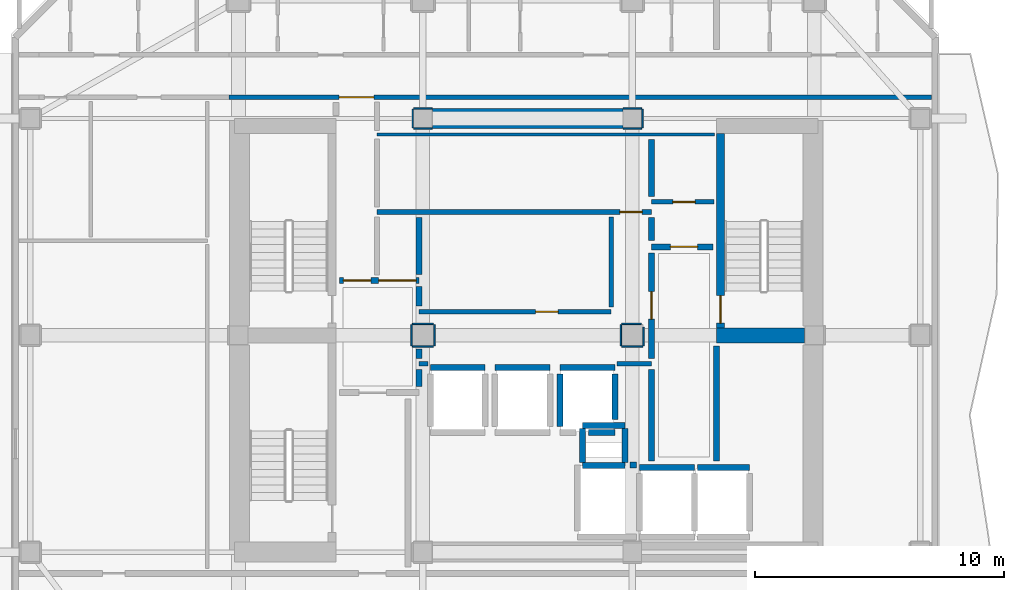
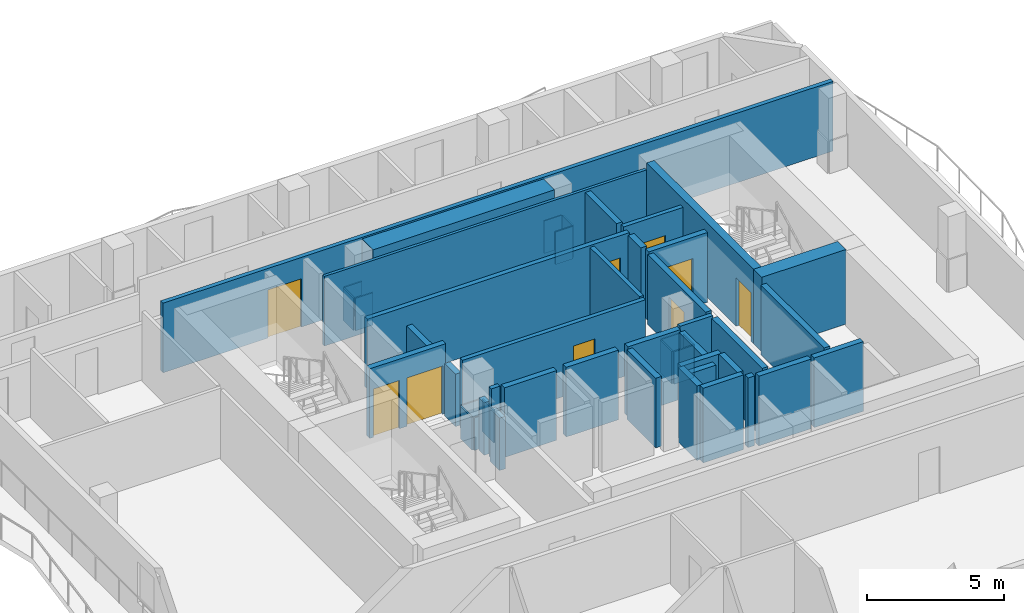
# One storey, part 4 of 10: 49 walls, 9 doors, 9 openings.
"""IFC4 building model written with IfcOpenShell, lengths in metres."""

from ifc_helpers import new_model, si_unit, direction, frame, frame_2d, origin, place, context, subcontext, project, spatial, rectangle, extrude, material, layer, layer_set, type_object, element, fill, save


model = new_model("IFC4")

# Units and contexts
model_context = context("Model", 3, precision=1e-05, world=origin(), true_north=direction((0.0, 1.0)))
body_context = subcontext(model_context, "Body", "Model", "MODEL_VIEW")
ifc_project = project(units=[si_unit("LENGTHUNIT", "METRE"), si_unit("AREAUNIT", "SQUARE_METRE"), si_unit("VOLUMEUNIT", "CUBIC_METRE"), si_unit("PLANEANGLEUNIT", "RADIAN"), si_unit("MASSUNIT", "GRAM", prefix="KILO")], contexts=[model_context])

# Site, building, storey
site_placement = place(None, origin())
site = spatial("IfcSite", under=ifc_project, at=site_placement, CompositionType="ELEMENT")
building_placement = place(site_placement, origin())
building = spatial("IfcBuilding", under=site, at=building_placement, Name="Solanera Arch Residences", CompositionType="ELEMENT")
storey_placement = place(building_placement, frame((0.0, 0.0, 203.43994140625)))
storey = spatial("IfcBuildingStorey", under=building, at=storey_placement, Name="L59", CompositionType="ELEMENT", Elevation=203.43994140625)

# Walls
ifc_material_1 = material(Name="Fire-Rated Gypsum Stud Partition", Category="gypsum")
ifc_layer_1 = layer(ifc_material_1, 0.06005859375)
ifc_layer_set_1 = layer_set([ifc_layer_1], Name="Fire-Rated Gypsum Stud Partition")
wall_type_1 = type_object("IfcWallType", Name="Column Acoustic Furring Wall 60", PredefinedType="PARTITIONING", material=ifc_layer_set_1)
for number, where, z_axis, x_axis, name in (
    (1, (20.425048828125, 38.992919921875, 0.0), (0.0, 0.0, 1.0), (1.0, 0.0, 0.0), "L59 Column Furring 3S"),
    (2, (20.425048828125, 39.806884765625, 0.0), (0.0, 0.0, 1.0), (1.0, 0.0, 0.0), "L59 Column Furring 3N"),
):
    element("IfcWall", number, at=place(storey_placement, frame(where, z_axis=z_axis, x_axis=x_axis)), inside=storey, type_object=wall_type_1, Name=name, PredefinedType="PARTITIONING", context=body_context, shape_type="SweptSolid", body=[
        extrude(rectangle(XDim=0.741943359375, YDim=0.06005859375, at=frame_2d((0.37109375, 0.0))), origin(), (0.0, 0.0, 1.0), 1.449951171875),
    ])
wall_1_placement = place(storey_placement, frame((20.39306640625, 39.02490234375, 0.0), z_axis=(0.0, 0.0, 1.0), x_axis=(0.0, 1.0, 0.0)))
element("IfcWall", 3, at=wall_1_placement, inside=storey, type_object=wall_type_1, Name="L59 Column Furring 3W", PredefinedType="PARTITIONING", context=body_context, shape_type="SweptSolid", body=[
    extrude(rectangle(XDim=0.75, YDim=0.06005859375, at=frame_2d((0.375, 0.0))), origin(), (0.0, 0.0, 1.0), 1.449951171875),
])
for number, where, z_axis, x_axis, name in (
    (4, (28.8330078125, 38.992919921875, 0.0), (0.0, 0.0, 1.0), (1.0, 0.0, 0.0), "L59 Column Furring 4S"),
    (5, (28.8330078125, 39.806884765625, 0.0), (0.0, 0.0, 1.0), (1.0, 0.0, 0.0), "L59 Column Furring 4N"),
):
    element("IfcWall", number, at=place(storey_placement, frame(where, z_axis=z_axis, x_axis=x_axis)), inside=storey, type_object=wall_type_1, Name=name, PredefinedType="PARTITIONING", context=body_context, shape_type="SweptSolid", body=[
        extrude(rectangle(XDim=0.741943359375, YDim=0.06005859375, at=frame_2d((0.37109375, 0.0))), origin(), (0.0, 0.0, 1.0), 1.449951171875),
    ])
wall_2_placement = place(storey_placement, frame((29.60693359375, 39.02490234375, 0.0), z_axis=(0.0, 0.0, 1.0), x_axis=(0.0, 1.0, 0.0)))
element("IfcWall", 6, at=wall_2_placement, inside=storey, type_object=wall_type_1, Name="L59 Column Furring 4E", PredefinedType="PARTITIONING", context=body_context, shape_type="SweptSolid", body=[
    extrude(rectangle(XDim=0.75, YDim=0.06005859375, at=frame_2d((0.375, 0.0))), origin(), (0.0, 0.0, 1.0), 1.449951171875),
])
for number, where, z_axis, x_axis, name in (
    (7, (20.375, 30.242919921875, 0.0), (0.0, 0.0, 1.0), (1.0, 0.0, 0.0), "L59 Column Furring 7S"),
    (8, (20.375, 31.156982421875, 0.0), (0.0, 0.0, 1.0), (1.0, 0.0, 0.0), "L59 Column Furring 7N"),
    (9, (20.343017578125, 30.27490234375, 0.0), (0.0, 0.0, 1.0), (0.0, 1.0, 0.0), "L59 Column Furring 7W"),
    (10, (21.257080078125, 30.27490234375, 0.0), (0.0, 0.0, 1.0), (0.0, 1.0, 0.0), "L59 Column Furring 7E"),
    (11, (28.77490234375, 30.242919921875, 0.0), (0.0, 0.0, 1.0), (1.0, 0.0, 0.0), "L59 Column Furring 8S"),
):
    element("IfcWall", number, at=place(storey_placement, frame(where, z_axis=z_axis, x_axis=x_axis)), inside=storey, type_object=wall_type_1, Name=name, PredefinedType="PARTITIONING", context=body_context, shape_type="SweptSolid", body=[
        extrude(rectangle(XDim=0.85009765625, YDim=0.06005859375, at=frame_2d((0.425048828125, 0.0))), origin(), (0.0, 0.0, 1.0), 1.449951171875),
    ])
wall_3_placement = place(storey_placement, frame((28.77490234375, 31.156982421875, 0.0), z_axis=(0.0, 0.0, 1.0), x_axis=(1.0, 0.0, 0.0)))
element("IfcWall", 12, at=wall_3_placement, inside=storey, type_object=wall_type_1, Name="L59 Column Furring 8N", PredefinedType="PARTITIONING", context=body_context, shape_type="SweptSolid", body=[
    extrude(rectangle(XDim=0.794189453125, YDim=0.06005859375, at=frame_2d((0.39697265625, 0.0))), origin(), (0.0, 0.0, 1.0), 1.449951171875),
])
wall_4_placement = place(storey_placement, frame((28.742919921875, 30.27490234375, 0.0), z_axis=(0.0, 0.0, 1.0), x_axis=(0.0, 1.0, 0.0)))
element("IfcWall", 13, at=wall_4_placement, inside=storey, type_object=wall_type_1, Name="L59 Column Furring 8W", PredefinedType="PARTITIONING", context=body_context, shape_type="SweptSolid", body=[
    extrude(rectangle(XDim=0.85009765625, YDim=0.06005859375, at=frame_2d((0.425048828125, 0.0))), origin(), (0.0, 0.0, 1.0), 1.449951171875),
])
wall_5_placement = place(storey_placement, frame((29.656982421875, 30.27490234375, 0.0), z_axis=(0.0, 0.0, 1.0), x_axis=(0.0, 1.0, 0.0)))
element("IfcWall", 14, at=wall_5_placement, inside=storey, type_object=wall_type_1, Name="L59 Column Furring 8E", PredefinedType="PARTITIONING", context=body_context, shape_type="SweptSolid", body=[
    extrude(rectangle(XDim=0.757080078125, YDim=0.06005859375, at=frame_2d((0.37841796875, 0.0))), origin(), (0.0, 0.0, 1.0), 1.449951171875),
])

# Wall, opening, door
ifc_material_2 = material(Name="Concrete C40/50 (f'c = 45 MPa)", Category="concrete")
ifc_layer_2 = layer(ifc_material_2, 0.320068359375)
ifc_layer_set_2 = layer_set([ifc_layer_2], Name="Concrete C40/50 (f'c = 45 MPa)")
wall_type_2 = type_object("IfcWallType", Name="Core Shear Wall CW-320", PredefinedType="SHEAR", material=ifc_layer_set_2)
wall_6_placement = place(storey_placement, frame((32.739990234375, 31.0, 0.0), z_axis=(0.0, 0.0, 1.0), x_axis=(0.0, 1.0, 0.0)))
wall_6 = element("IfcWall", 15, at=wall_6_placement, inside=storey, type_object=wall_type_2, Name="L59 Stair ST-T2 West Shear Wall", PredefinedType="SHEAR", context=body_context, shape_type="SweptSolid", body=[
    extrude(rectangle(XDim=7.800048828125, YDim=0.320068359375, at=frame_2d((3.89990234375, 0.0))), origin(), (0.0, 0.0, 1.0), 3.320068359375),
])
opening_1_placement = place(wall_6_placement, frame((0.18994140625, 0.0, 0.0)))
opening_1 = element("IfcOpeningElement", 16, at=opening_1_placement, cuts=wall_6, Name="Opening DF-01", PredefinedType="OPENING", context=body_context, shape_type="SweptSolid", body=[
    extrude(rectangle(XDim=1.10009765625, YDim=2.14990234375, at=frame_2d((0.550048828125, 1.074951171875))), frame((0.0, 0.169921875, 0.0), z_axis=(0.0, -1.0, 0.0), x_axis=(1.0, 0.0, 0.0)), (0.0, 0.0, 1.0), 0.3401),
])
ifc_material_3 = material(Name="Fire-Rated Architectural Hardwood", Category="wood")
door_type_1 = type_object("IfcDoorType", Name="Stair Exit Fire Door DF-01", OperationType="NOTDEFINED", PredefinedType="DOOR", material=ifc_material_3)
door_1_placement = place(opening_1_placement, origin())
door_1 = element("IfcDoor", 17, at=door_1_placement, inside=storey, type_object=door_type_1, Name="DR-L59-STAIR-ST-T2", OperationType="SINGLE_SWING_LEFT", OverallHeight=2.14990234375, OverallWidth=1.10009765625, PredefinedType="DOOR", context=body_context, shape_type="SweptSolid", body=[
    extrude(rectangle(XDim=1.10009765625, YDim=2.14990234375, at=frame_2d((0.550048828125, 1.074951171875))), frame((0.0, 0.02490234375, 0.0), z_axis=(0.0, -1.0, 0.0), x_axis=(1.0, 0.0, 0.0)), (0.0, 0.0, 1.0), 0.050048828125),
])
fill(opening_1, door_1)

# Walls
ifc_material_4 = material(Name="Concrete C40/50 (f'c = 45 MPa)", Category="concrete")
ifc_layer_3 = layer(ifc_material_4, 0.60009765625)
ifc_layer_set_3 = layer_set([ifc_layer_3], Name="Concrete C40/50 (f'c = 45 MPa)")
wall_type_3 = type_object("IfcWallType", Name="Core Shear Wall CW-600", PredefinedType="SHEAR", material=ifc_layer_set_3)
wall_7_placement = place(storey_placement, frame((32.580078125, 30.699951171875, 0.0), z_axis=(0.0, 0.0, 1.0), x_axis=(1.0, 0.0, 0.0)))
element("IfcWall", 18, at=wall_7_placement, inside=storey, type_object=wall_type_3, Name="L59 East Stair Far-Landing Shear Wall", PredefinedType="SHEAR", context=body_context, shape_type="SweptSolid", body=[
    extrude(rectangle(XDim=3.5400390625, YDim=0.60009765625, at=frame_2d((1.77001953125, 0.0))), origin(), (0.0, 0.0, 1.0), 3.320068359375),
])
ifc_material_5 = material(Name="Concrete C40/50 (f'c = 45 MPa)", Category="concrete")
ifc_layer_4 = layer(ifc_material_5, 0.800048828125)
ifc_layer_set_4 = layer_set([ifc_layer_4], Name="Concrete C40/50 (f'c = 45 MPa)")
wall_type_4 = type_object("IfcWallType", Name="Core Shear Wall CW-800", PredefinedType="SHEAR", material=ifc_layer_set_4)
wall_8_placement = place(storey_placement, frame((21.179931640625, 39.39990234375, 0.0), z_axis=(0.0, 0.0, 1.0), x_axis=(1.0, 0.0, 0.0)))
element("IfcWall", 19, at=wall_8_placement, inside=storey, type_object=wall_type_4, Name="L59 Central North Core Shear Wall", PredefinedType="SHEAR", context=body_context, shape_type="SweptSolid", body=[
    extrude(rectangle(XDim=7.64013671875, YDim=0.800048828125, at=frame_2d((3.820068359375, 0.0))), origin(), (0.0, 0.0, 1.0), 3.320068359375),
])
ifc_material_6 = material(Name="Autoclaved Aerated Concrete Blockwork", Category="masonry")
ifc_layer_5 = layer(ifc_material_6, 0.179931640625)
ifc_layer_set_5 = layer_set([ifc_layer_5], Name="Autoclaved Aerated Concrete Blockwork")
wall_type_5 = type_object("IfcWallType", Name="Corridor Fire Partition 180", PredefinedType="PARTITIONING", material=ifc_layer_set_5)
wall_9_placement = place(storey_placement, frame((20.64990234375, 29.550048828125, 0.0), z_axis=(0.0, 0.0, 1.0), x_axis=(1.0, 0.0, 0.0)))
element("IfcWall", 20, at=wall_9_placement, inside=storey, type_object=wall_type_5, Name="L59 Interior Partition H8 1", PredefinedType="PARTITIONING", context=body_context, shape_type="SweptSolid", body=[
    extrude(rectangle(XDim=0.357177734375, YDim=0.179931640625, at=frame_2d((0.1787109375, 0.0))), origin(), (0.0, 0.0, 1.0), 3.10009765625),
])
wall_10_placement = place(storey_placement, frame((28.593017578125, 29.550048828125, 0.0), z_axis=(0.0, 0.0, 1.0), x_axis=(1.0, 0.0, 0.0)))
element("IfcWall", 21, at=wall_10_placement, inside=storey, type_object=wall_type_5, Name="L59 Interior Partition H8 2", PredefinedType="PARTITIONING", context=body_context, shape_type="SweptSolid", body=[
    extrude(rectangle(XDim=1.382080078125, YDim=0.179931640625, at=frame_2d((0.69091796875, 0.0))), origin(), (0.0, 0.0, 1.0), 3.10009765625),
])

# Wall, opening, door
wall_11_placement = place(storey_placement, frame((20.64990234375, 31.64990234375, 0.0), z_axis=(0.0, 0.0, 1.0), x_axis=(1.0, 0.0, 0.0)))
wall_11 = element("IfcWall", 22, at=wall_11_placement, inside=storey, type_object=wall_type_5, Name="L59 Interior Partition H9", PredefinedType="PARTITIONING", context=body_context, shape_type="SweptSolid", body=[
    extrude(rectangle(XDim=7.7001953125, YDim=0.179931640625, at=frame_2d((3.85009765625, 0.0))), origin(), (0.0, 0.0, 1.0), 3.10009765625),
])
opening_2_placement = place(wall_11_placement, frame((4.673095703125, 0.0, 0.0)))
opening_2 = element("IfcOpeningElement", 23, at=opening_2_placement, cuts=wall_11, Name="Opening DI-02", PredefinedType="OPENING", context=body_context, shape_type="SweptSolid", body=[
    extrude(rectangle(XDim=0.89990234375, YDim=2.10009765625, at=frame_2d((0.449951171875, 1.050048828125))), frame((0.0, 0.10009765625, 0.0), z_axis=(0.0, -1.0, 0.0), x_axis=(1.0, 0.0, 0.0)), (0.0, 0.0, 1.0), 0.1999),
])
ifc_material_7 = material(Name="Fire-Rated Architectural Hardwood", Category="wood")
door_type_2 = type_object("IfcDoorType", Name="Suite Room Swing Door DI-02", OperationType="NOTDEFINED", PredefinedType="DOOR", material=ifc_material_7)
door_2_placement = place(opening_2_placement, origin())
door_2 = element("IfcDoor", 24, at=door_2_placement, inside=storey, type_object=door_type_2, Name="DR-L59-IN-013", OperationType="SINGLE_SWING_RIGHT", OverallHeight=2.10009765625, OverallWidth=0.89990234375, PredefinedType="DOOR", context=body_context, shape_type="SweptSolid", body=[
    extrude(rectangle(XDim=0.89990234375, YDim=2.10009765625, at=frame_2d((0.449951171875, 1.050048828125))), frame((0.0, 0.02490234375, 0.0), z_axis=(0.0, -1.0, 0.0), x_axis=(1.0, 0.0, 0.0)), (0.0, 0.0, 1.0), 0.050048828125),
])
fill(opening_2, door_2)

wall_12_placement = place(storey_placement, frame((29.97509765625, 36.050048828125, 0.0), z_axis=(0.0, 0.0, 1.0), x_axis=(1.0, 0.0, 0.0)))
wall_12 = element("IfcWall", 25, at=wall_12_placement, inside=storey, type_object=wall_type_5, Name="L59 Interior Partition H10", PredefinedType="PARTITIONING", context=body_context, shape_type="SweptSolid", body=[
    extrude(rectangle(XDim=2.5048828125, YDim=0.179931640625, at=frame_2d((1.25244140625, 0.0))), origin(), (0.0, 0.0, 1.0), 3.10009765625),
])
opening_3_placement = place(wall_12_placement, frame((0.85205078125, 0.0, 0.0)))
opening_3 = element("IfcOpeningElement", 26, at=opening_3_placement, cuts=wall_12, Name="Opening DI-02", PredefinedType="OPENING", context=body_context, shape_type="SweptSolid", body=[
    extrude(rectangle(XDim=0.89990234375, YDim=2.10009765625, at=frame_2d((0.449951171875, 1.050048828125))), frame((0.0, 0.10009765625, 0.0), z_axis=(0.0, -1.0, 0.0), x_axis=(1.0, 0.0, 0.0)), (0.0, 0.0, 1.0), 0.1999),
])
door_3_placement = place(opening_3_placement, origin())
door_3 = element("IfcDoor", 27, at=door_3_placement, inside=storey, type_object=door_type_2, Name="DR-L59-IN-011", OperationType="SINGLE_SWING_RIGHT", OverallHeight=2.10009765625, OverallWidth=0.89990234375, PredefinedType="DOOR", context=body_context, shape_type="SweptSolid", body=[
    extrude(rectangle(XDim=0.89990234375, YDim=2.10009765625, at=frame_2d((0.449951171875, 1.050048828125))), frame((0.0, 0.02490234375, 0.0), z_axis=(0.0, -1.0, 0.0), x_axis=(1.0, 0.0, 0.0)), (0.0, 0.0, 1.0), 0.050048828125),
])
fill(opening_3, door_3)

wall_13_placement = place(storey_placement, frame((13.011962890625, 40.25, 0.0), z_axis=(0.0, 0.0, 1.0), x_axis=(1.0, 0.0, 0.0)))
wall_13 = element("IfcWall", 28, at=wall_13_placement, inside=storey, type_object=wall_type_5, Name="L59 Interior Partition H11 3", PredefinedType="PARTITIONING", context=body_context, shape_type="SweptSolid", body=[
    extrude(rectangle(XDim=28.200927734375, YDim=0.179931640625, at=frame_2d((14.1005859375, 0.0))), origin(), (0.0, 0.0, 1.0), 3.10009765625),
])
opening_4_placement = place(wall_13_placement, frame((4.423095703125, 0.0, 0.0)))
opening_4 = element("IfcOpeningElement", 29, at=opening_4_placement, cuts=wall_13, Name="Opening DF-03", PredefinedType="OPENING", context=body_context, shape_type="SweptSolid", body=[
    extrude(rectangle(XDim=1.39990234375, YDim=2.14990234375, at=frame_2d((0.699951171875, 1.074951171875))), frame((0.0, 0.10009765625, 0.0), z_axis=(0.0, -1.0, 0.0), x_axis=(1.0, 0.0, 0.0)), (0.0, 0.0, 1.0), 0.1999),
])
ifc_material_8 = material(Name="Fire-Rated Architectural Hardwood", Category="wood")
door_type_3 = type_object("IfcDoorType", Name="Corridor Smoke Door DF-03", OperationType="NOTDEFINED", PredefinedType="DOOR", material=ifc_material_8)
door_4_placement = place(opening_4_placement, origin())
door_4 = element("IfcDoor", 30, at=door_4_placement, inside=storey, type_object=door_type_3, Name="DR-L59-IN-009", OperationType="SINGLE_SWING_RIGHT", OverallHeight=2.14990234375, OverallWidth=1.39990234375, PredefinedType="DOOR", context=body_context, shape_type="SweptSolid", body=[
    extrude(rectangle(XDim=1.39990234375, YDim=2.14990234375, at=frame_2d((0.699951171875, 1.074951171875))), frame((0.0, 0.02490234375, 0.0), z_axis=(0.0, -1.0, 0.0), x_axis=(1.0, 0.0, 0.0)), (0.0, 0.0, 1.0), 0.050048828125),
])
fill(opening_4, door_4)

# Wall
wall_14_placement = place(storey_placement, frame((28.35009765625, 31.837890625, 0.0), z_axis=(0.0, 0.0, 1.0), x_axis=(0.0, 1.0, 0.0)))
element("IfcWall", 31, at=wall_14_placement, inside=storey, type_object=wall_type_5, Name="L59 Interior Partition V9", PredefinedType="PARTITIONING", context=body_context, shape_type="SweptSolid", body=[
    extrude(rectangle(XDim=3.614013671875, YDim=0.179931640625, at=frame_2d((1.80712890625, 0.0))), origin(), (0.0, 0.0, 1.0), 3.10009765625),
])

# Wall, opening, door
ifc_material_9 = material(Name="Autoclaved Aerated Concrete Blockwork", Category="masonry")
ifc_layer_6 = layer(ifc_material_9, 0.199951171875)
ifc_layer_set_6 = layer_set([ifc_layer_6], Name="Autoclaved Aerated Concrete Blockwork")
wall_type_6 = type_object("IfcWallType", Name="Party Wall Acoustic 200", PredefinedType="PARTITIONING", material=ifc_layer_set_6)
wall_15_placement = place(storey_placement, frame((18.949951171875, 35.64990234375, 0.0), z_axis=(0.0, 0.0, 1.0), x_axis=(1.0, 0.0, 0.0)))
wall_15 = element("IfcWall", 32, at=wall_15_placement, inside=storey, type_object=wall_type_6, Name="L59 Interior Partition H6", PredefinedType="PARTITIONING", context=body_context, shape_type="SweptSolid", body=[
    extrude(rectangle(XDim=11.025146484375, YDim=0.199951171875, at=frame_2d((5.5126953125, 0.0))), origin(), (0.0, 0.0, 1.0), 3.10009765625),
])
opening_5_placement = place(wall_15_placement, frame((9.7490234375, 0.0, 0.0)))
opening_5 = element("IfcOpeningElement", 33, at=opening_5_placement, cuts=wall_15, Name="Opening DI-02", PredefinedType="OPENING", context=body_context, shape_type="SweptSolid", body=[
    extrude(rectangle(XDim=0.89990234375, YDim=2.10009765625, at=frame_2d((0.449951171875, 1.050048828125))), frame((0.0, 0.110107421875, 0.0), z_axis=(0.0, -1.0, 0.0), x_axis=(1.0, 0.0, 0.0)), (0.0, 0.0, 1.0), 0.22),
])
door_5_placement = place(opening_5_placement, origin())
door_5 = element("IfcDoor", 34, at=door_5_placement, inside=storey, type_object=door_type_2, Name="DR-L59-IN-012", OperationType="SINGLE_SWING_LEFT", OverallHeight=2.10009765625, OverallWidth=0.89990234375, PredefinedType="DOOR", context=body_context, shape_type="SweptSolid", body=[
    extrude(rectangle(XDim=0.89990234375, YDim=2.10009765625, at=frame_2d((0.449951171875, 1.050048828125))), frame((0.0, 0.02490234375, 0.0), z_axis=(0.0, -1.0, 0.0), x_axis=(1.0, 0.0, 0.0)), (0.0, 0.0, 1.0), 0.050048828125),
])
fill(opening_5, door_5)

# Walls
ifc_material_10 = material(Name="Concrete C40/50 (f'c = 45 MPa)", Category="concrete")
ifc_layer_7 = layer(ifc_material_10, 0.239990234375)
ifc_layer_set_7 = layer_set([ifc_layer_7], Name="Concrete C40/50 (f'c = 45 MPa)")
wall_type_7 = type_object("IfcWallType", Name="Ramp Bearing Shear Wall RW-240", PredefinedType="SHEAR", material=ifc_layer_set_7)
for number, where, z_axis, x_axis, name in (
    (35, (27.199951171875, 25.47998046875, 0.0), (0.0, 0.0, 1.0), (1.0, 0.0, 0.0), "L59 Core MEP Riser South Shaft Wall"),
    (36, (27.199951171875, 27.080078125, 0.0), (0.0, 0.0, 1.0), (1.0, 0.0, 0.0), "L59 Core MEP Riser North Shaft Wall"),
):
    element("IfcWall", number, at=place(storey_placement, frame(where, z_axis=z_axis, x_axis=x_axis)), inside=storey, type_object=wall_type_7, Name=name, PredefinedType="SHEAR", context=body_context, shape_type="SweptSolid", body=[
        extrude(rectangle(XDim=1.699951171875, YDim=0.239990234375, at=frame_2d((0.85009765625, 0.0))), origin(), (0.0, 0.0, 1.0), 3.320068359375),
    ])
for number, where, z_axis, x_axis, name in (
    (37, (27.199951171875, 25.60009765625, 0.0), (0.0, 0.0, 1.0), (0.0, 1.0, 0.0), "L59 Core MEP Riser West Shaft Wall"),
    (38, (28.89990234375, 25.60009765625, 0.0), (0.0, 0.0, 1.0), (0.0, 1.0, 0.0), "L59 Core MEP Riser East Shaft Wall"),
):
    element("IfcWall", number, at=place(storey_placement, frame(where, z_axis=z_axis, x_axis=x_axis)), inside=storey, type_object=wall_type_7, Name=name, PredefinedType="SHEAR", context=body_context, shape_type="SweptSolid", body=[
        extrude(rectangle(XDim=1.35986328125, YDim=0.239990234375, at=frame_2d((0.679931640625, 0.0))), origin(), (0.0, 0.0, 1.0), 3.320068359375),
    ])
ifc_material_11 = material(Name="Autoclaved Aerated Concrete Blockwork", Category="masonry")
ifc_layer_8 = layer(ifc_material_11, 0.239990234375)
ifc_layer_set_8 = layer_set([ifc_layer_8], Name="Autoclaved Aerated Concrete Blockwork")
wall_type_8 = type_object("IfcWallType", Name="Shaft Wall Fire-Rated 240", PredefinedType="PARTITIONING", material=ifc_layer_set_8)
for number, where, z_axis, x_axis, name in (
    (39, (21.10009765625, 29.39990234375, 0.0), (0.0, 0.0, 1.0), (1.0, 0.0, 0.0), "L59 Lift PL-H1 Hoistway Wall N"),
    (40, (23.699951171875, 29.39990234375, 0.0), (0.0, 0.0, 1.0), (1.0, 0.0, 0.0), "L59 Lift PL-H2 Hoistway Wall N"),
):
    element("IfcWall", number, at=place(storey_placement, frame(where, z_axis=z_axis, x_axis=x_axis)), inside=storey, type_object=wall_type_8, Name=name, PredefinedType="PARTITIONING", context=body_context, shape_type="SweptSolid", body=[
        extrude(rectangle(XDim=2.199951171875, YDim=0.239990234375, at=frame_2d((1.10009765625, 0.0))), origin(), (0.0, 0.0, 1.0), 3.10009765625),
    ])
wall_16_placement = place(storey_placement, frame((27.449951171875, 26.800048828125, 0.0), z_axis=(0.0, 0.0, 1.0), x_axis=(1.0, 0.0, 0.0)))
element("IfcWall", 41, at=wall_16_placement, inside=storey, type_object=wall_type_8, Name="L59 Lift PL-H3 Hoistway Wall S 2", PredefinedType="PARTITIONING", context=body_context, shape_type="SweptSolid", body=[
    extrude(rectangle(XDim=1.050048828125, YDim=0.239990234375, at=frame_2d((0.52490234375, 0.0))), origin(), (0.0, 0.0, 1.0), 3.10009765625),
])
wall_17_placement = place(storey_placement, frame((26.300048828125, 29.39990234375, 0.0), z_axis=(0.0, 0.0, 1.0), x_axis=(1.0, 0.0, 0.0)))
element("IfcWall", 42, at=wall_17_placement, inside=storey, type_object=wall_type_8, Name="L59 Lift PL-H3 Hoistway Wall N", PredefinedType="PARTITIONING", context=body_context, shape_type="SweptSolid", body=[
    extrude(rectangle(XDim=2.199951171875, YDim=0.239990234375, at=frame_2d((1.10009765625, 0.0))), origin(), (0.0, 0.0, 1.0), 3.10009765625),
])
wall_18_placement = place(storey_placement, frame((26.300048828125, 27.048095703125, 0.0), z_axis=(0.0, 0.0, 1.0), x_axis=(0.0, 1.0, 0.0)))
element("IfcWall", 43, at=wall_18_placement, inside=storey, type_object=wall_type_8, Name="L59 Lift PL-H3 Hoistway Wall W", PredefinedType="PARTITIONING", context=body_context, shape_type="SweptSolid", body=[
    extrude(rectangle(XDim=2.10400390625, YDim=0.239990234375, at=frame_2d((1.052001953125, 0.0))), origin(), (0.0, 0.0, 1.0), 3.10009765625),
])
wall_19_placement = place(storey_placement, frame((28.5, 27.330078125, 0.0), z_axis=(0.0, 0.0, 1.0), x_axis=(0.0, 1.0, 0.0)))
element("IfcWall", 44, at=wall_19_placement, inside=storey, type_object=wall_type_8, Name="L59 Lift PL-H3 Hoistway Wall E", PredefinedType="PARTITIONING", context=body_context, shape_type="SweptSolid", body=[
    extrude(rectangle(XDim=1.822021484375, YDim=0.239990234375, at=frame_2d((0.9111328125, 0.0))), origin(), (0.0, 0.0, 1.0), 3.10009765625),
])
wall_20_placement = place(storey_placement, frame((29.5, 25.39990234375, 0.0), z_axis=(0.0, 0.0, 1.0), x_axis=(1.0, 0.0, 0.0)))
element("IfcWall", 45, at=wall_20_placement, inside=storey, type_object=wall_type_8, Name="L59 Lift FFL-1 Hoistway Wall N", PredefinedType="PARTITIONING", context=body_context, shape_type="SweptSolid", body=[
    extrude(rectangle(XDim=2.199951171875, YDim=0.239990234375, at=frame_2d((1.10009765625, 0.0))), origin(), (0.0, 0.0, 1.0), 3.10009765625),
])
wall_21_placement = place(storey_placement, frame((31.827880859375, 25.39990234375, 0.0), z_axis=(0.0, 0.0, 1.0), x_axis=(1.0, 0.0, 0.0)))
element("IfcWall", 46, at=wall_21_placement, inside=storey, type_object=wall_type_8, Name="L59 Lift FFL-2 Hoistway Wall N", PredefinedType="PARTITIONING", context=body_context, shape_type="SweptSolid", body=[
    extrude(rectangle(XDim=2.072021484375, YDim=0.239990234375, at=frame_2d((1.0361328125, 0.0))), origin(), (0.0, 0.0, 1.0), 3.10009765625),
])
wall_22_placement = place(storey_placement, frame((29.10302734375, 25.5, 0.0), z_axis=(0.0, 0.0, 1.0), x_axis=(1.0, 0.0, 0.0)))
element("IfcWall", 47, at=wall_22_placement, inside=storey, type_object=wall_type_8, Name="L59 Lift SVL-1 Hoistway Wall N", PredefinedType="PARTITIONING", context=body_context, shape_type="SweptSolid", body=[
    extrude(rectangle(XDim=0.26904296875, YDim=0.239990234375, at=frame_2d((0.134521484375, 0.0))), origin(), (0.0, 0.0, 1.0), 3.10009765625),
])

# Wall, openings, doors
wall_23_placement = place(storey_placement, frame((17.449951171875, 32.89990234375, 0.0), z_axis=(0.0, 0.0, 1.0), x_axis=(1.0, 0.0, 0.0)))
wall_23 = element("IfcWall", 48, at=wall_23_placement, inside=storey, type_object=wall_type_8, Name="L59 Interior Partition H4", PredefinedType="PARTITIONING", context=body_context, shape_type="SweptSolid", body=[
    extrude(rectangle(XDim=3.199951171875, YDim=0.239990234375, at=frame_2d((1.60009765625, 0.0))), origin(), (0.0, 0.0, 1.0), 3.10009765625),
])
opening_6_placement = place(wall_23_placement, frame((0.158935546875, 0.0, 0.0)))
opening_6 = element("IfcOpeningElement", 49, at=opening_6_placement, cuts=wall_23, Name="Opening DF-02", PredefinedType="OPENING", context=body_context, shape_type="SweptSolid", body=[
    extrude(rectangle(XDim=1.10009765625, YDim=2.14990234375, at=frame_2d((0.550048828125, 1.074951171875))), frame((0.0, 0.1298828125, 0.0), z_axis=(0.0, -1.0, 0.0), x_axis=(1.0, 0.0, 0.0)), (0.0, 0.0, 1.0), 0.26),
])
opening_7_placement = place(wall_23_placement, frame((1.575927734375, 0.0, 0.0)))
opening_7 = element("IfcOpeningElement", 50, at=opening_7_placement, cuts=wall_23, Name="Opening DP-01", PredefinedType="OPENING", context=body_context, shape_type="SweptSolid", body=[
    extrude(rectangle(XDim=1.5, YDim=2.14990234375, at=frame_2d((0.75, 1.074951171875))), frame((0.0, 0.1298828125, 0.0), z_axis=(0.0, -1.0, 0.0), x_axis=(1.0, 0.0, 0.0)), (0.0, 0.0, 1.0), 0.26),
])
ifc_material_12 = material(Name="Fire-Rated Architectural Hardwood", Category="wood")
door_type_4 = type_object("IfcDoorType", Name="Firefighting Lobby Fire Door DF-02", OperationType="NOTDEFINED", PredefinedType="DOOR", material=ifc_material_12)
door_6_placement = place(opening_6_placement, origin())
door_6 = element("IfcDoor", 51, at=door_6_placement, inside=storey, type_object=door_type_4, Name="DR-L59-IN-005", OperationType="SINGLE_SWING_RIGHT", OverallHeight=2.14990234375, OverallWidth=1.10009765625, PredefinedType="DOOR", context=body_context, shape_type="SweptSolid", body=[
    extrude(rectangle(XDim=1.10009765625, YDim=2.14990234375, at=frame_2d((0.550048828125, 1.074951171875))), frame((0.0, 0.02490234375, 0.0), z_axis=(0.0, -1.0, 0.0), x_axis=(1.0, 0.0, 0.0)), (0.0, 0.0, 1.0), 0.050048828125),
])
fill(opening_6, door_6)
ifc_material_13 = material(Name="Fire-Rated Architectural Hardwood", Category="wood")
door_type_5 = type_object("IfcDoorType", Name="Plant Double Fire Door DP-01", OperationType="NOTDEFINED", PredefinedType="DOOR", material=ifc_material_13)
door_7_placement = place(opening_7_placement, origin())
door_7 = element("IfcDoor", 52, at=door_7_placement, inside=storey, type_object=door_type_5, Name="DR-L59-IN-010", OperationType="SINGLE_SWING_LEFT", OverallHeight=2.14990234375, OverallWidth=1.5, PredefinedType="DOOR", context=body_context, shape_type="SweptSolid", body=[
    extrude(rectangle(XDim=1.5, YDim=2.14990234375, at=frame_2d((0.75, 1.074951171875))), frame((0.0, 0.02490234375, 0.0), z_axis=(0.0, -1.0, 0.0), x_axis=(1.0, 0.0, 0.0)), (0.0, 0.0, 1.0), 0.050048828125),
])
fill(opening_7, door_7)

# Wall, opening, door
wall_24_placement = place(storey_placement, frame((29.97509765625, 34.25, 0.0), z_axis=(0.0, 0.0, 1.0), x_axis=(1.0, 0.0, 0.0)))
wall_24 = element("IfcWall", 53, at=wall_24_placement, inside=storey, type_object=wall_type_8, Name="L59 Interior Partition H5", PredefinedType="PARTITIONING", context=body_context, shape_type="SweptSolid", body=[
    extrude(rectangle(XDim=2.474853515625, YDim=0.239990234375, at=frame_2d((1.2373046875, 0.0))), origin(), (0.0, 0.0, 1.0), 3.10009765625),
])
opening_8_placement = place(wall_24_placement, frame((0.751953125, 0.0, 0.0)))
opening_8 = element("IfcOpeningElement", 54, at=opening_8_placement, cuts=wall_24, Name="Opening DF-02", PredefinedType="OPENING", context=body_context, shape_type="SweptSolid", body=[
    extrude(rectangle(XDim=1.10009765625, YDim=2.14990234375, at=frame_2d((0.550048828125, 1.074951171875))), frame((0.0, 0.1298828125, 0.0), z_axis=(0.0, -1.0, 0.0), x_axis=(1.0, 0.0, 0.0)), (0.0, 0.0, 1.0), 0.26),
])
door_8_placement = place(opening_8_placement, origin())
door_8 = element("IfcDoor", 55, at=door_8_placement, inside=storey, type_object=door_type_4, Name="DR-L59-IN-007", OperationType="SINGLE_SWING_RIGHT", OverallHeight=2.14990234375, OverallWidth=1.10009765625, PredefinedType="DOOR", context=body_context, shape_type="SweptSolid", body=[
    extrude(rectangle(XDim=1.10009765625, YDim=2.14990234375, at=frame_2d((0.550048828125, 1.074951171875))), frame((0.0, 0.02490234375, 0.0), z_axis=(0.0, -1.0, 0.0), x_axis=(1.0, 0.0, 0.0)), (0.0, 0.0, 1.0), 0.050048828125),
])
fill(opening_8, door_8)

# Walls
wall_25_placement = place(storey_placement, frame((20.64990234375, 28.64794921875, 0.0), z_axis=(0.0, 0.0, 1.0), x_axis=(0.0, 1.0, 0.0)))
element("IfcWall", 56, at=wall_25_placement, inside=storey, type_object=wall_type_8, Name="L59 Interior Partition V3 1", PredefinedType="PARTITIONING", context=body_context, shape_type="SweptSolid", body=[
    extrude(rectangle(XDim=0.68408203125, YDim=0.239990234375, at=frame_2d((0.342041015625, 0.0))), origin(), (0.0, 0.0, 1.0), 2.3349609375),
])
wall_26_placement = place(storey_placement, frame((20.64990234375, 29.76806640625, 0.0), z_axis=(0.0, 0.0, 1.0), x_axis=(0.0, 1.0, 0.0)))
element("IfcWall", 57, at=wall_26_placement, inside=storey, type_object=wall_type_8, Name="L59 Interior Partition V3 2", PredefinedType="PARTITIONING", context=body_context, shape_type="SweptSolid", body=[
    extrude(rectangle(XDim=0.375, YDim=0.239990234375, at=frame_2d((0.1875, 0.0))), origin(), (0.0, 0.0, 1.0), 2.3349609375),
])
wall_27_placement = place(storey_placement, frame((20.64990234375, 31.867919921875, 0.0), z_axis=(0.0, 0.0, 1.0), x_axis=(0.0, 1.0, 0.0)))
element("IfcWall", 58, at=wall_27_placement, inside=storey, type_object=wall_type_8, Name="L59 Interior Partition V3 3", PredefinedType="PARTITIONING", context=body_context, shape_type="SweptSolid", body=[
    extrude(rectangle(XDim=0.7841796875, YDim=0.239990234375, at=frame_2d((0.39208984375, 0.0))), origin(), (0.0, 0.0, 1.0), 2.3349609375),
])
wall_28_placement = place(storey_placement, frame((20.64990234375, 33.14794921875, 0.0), z_axis=(0.0, 0.0, 1.0), x_axis=(0.0, 1.0, 0.0)))
element("IfcWall", 59, at=wall_28_placement, inside=storey, type_object=wall_type_8, Name="L59 Interior Partition V3 4", PredefinedType="PARTITIONING", context=body_context, shape_type="SweptSolid", body=[
    extrude(rectangle(XDim=2.274169921875, YDim=0.239990234375, at=frame_2d((1.13720703125, 0.0))), origin(), (0.0, 0.0, 1.0), 2.3349609375),
])
wall_29_placement = place(storey_placement, frame((29.97509765625, 25.64794921875, 0.0), z_axis=(0.0, 0.0, 1.0), x_axis=(0.0, 1.0, 0.0)))
element("IfcWall", 60, at=wall_29_placement, inside=storey, type_object=wall_type_8, Name="L59 Interior Partition V4 1", PredefinedType="PARTITIONING", context=body_context, shape_type="SweptSolid", body=[
    extrude(rectangle(XDim=3.68408203125, YDim=0.239990234375, at=frame_2d((1.842041015625, 0.0))), origin(), (0.0, 0.0, 1.0), 3.10009765625),
])

# Wall, opening, door
wall_30_placement = place(storey_placement, frame((29.97509765625, 29.76806640625, 0.0), z_axis=(0.0, 0.0, 1.0), x_axis=(0.0, 1.0, 0.0)))
wall_30 = element("IfcWall", 61, at=wall_30_placement, inside=storey, type_object=wall_type_8, Name="L59 Interior Partition V4 2", PredefinedType="PARTITIONING", context=body_context, shape_type="SweptSolid", body=[
    extrude(rectangle(XDim=4.23388671875, YDim=0.239990234375, at=frame_2d((2.116943359375, 0.0))), origin(), (0.0, 0.0, 1.0), 3.10009765625),
])
opening_9_placement = place(wall_30_placement, frame((1.58203125, 0.0, 0.0)))
opening_9 = element("IfcOpeningElement", 62, at=opening_9_placement, cuts=wall_30, Name="Opening DF-02", PredefinedType="OPENING", context=body_context, shape_type="SweptSolid", body=[
    extrude(rectangle(XDim=1.10009765625, YDim=2.14990234375, at=frame_2d((0.550048828125, 1.074951171875))), frame((0.0, 0.1298828125, 0.0), z_axis=(0.0, -1.0, 0.0), x_axis=(1.0, 0.0, 0.0)), (0.0, 0.0, 1.0), 0.26),
])
door_9_placement = place(opening_9_placement, origin())
door_9 = element("IfcDoor", 63, at=door_9_placement, inside=storey, type_object=door_type_4, Name="DR-L59-IN-006", OperationType="SINGLE_SWING_LEFT", OverallHeight=2.14990234375, OverallWidth=1.10009765625, PredefinedType="DOOR", context=body_context, shape_type="SweptSolid", body=[
    extrude(rectangle(XDim=1.10009765625, YDim=2.14990234375, at=frame_2d((0.550048828125, 1.074951171875))), frame((0.0, 0.02490234375, 0.0), z_axis=(0.0, -1.0, 0.0), x_axis=(1.0, 0.0, 0.0)), (0.0, 0.0, 1.0), 0.050048828125),
])
fill(opening_9, door_9)

# Walls
wall_31_placement = place(storey_placement, frame((29.97509765625, 34.498046875, 0.0), z_axis=(0.0, 0.0, 1.0), x_axis=(0.0, 1.0, 0.0)))
element("IfcWall", 64, at=wall_31_placement, inside=storey, type_object=wall_type_8, Name="L59 Interior Partition V4 3", PredefinedType="PARTITIONING", context=body_context, shape_type="SweptSolid", body=[
    extrude(rectangle(XDim=0.924072265625, YDim=0.239990234375, at=frame_2d((0.4619140625, 0.0))), origin(), (0.0, 0.0, 1.0), 3.10009765625),
])
wall_32_placement = place(storey_placement, frame((29.97509765625, 36.26806640625, 0.0), z_axis=(0.0, 0.0, 1.0), x_axis=(0.0, 1.0, 0.0)))
element("IfcWall", 65, at=wall_32_placement, inside=storey, type_object=wall_type_8, Name="L59 Interior Partition V4 4", PredefinedType="PARTITIONING", context=body_context, shape_type="SweptSolid", body=[
    extrude(rectangle(XDim=2.2939453125, YDim=0.239990234375, at=frame_2d((1.14697265625, 0.0))), origin(), (0.0, 0.0, 1.0), 3.10009765625),
])
wall_33_placement = place(storey_placement, frame((32.580078125, 25.64794921875, 0.0), z_axis=(0.0, 0.0, 1.0), x_axis=(0.0, 1.0, 0.0)))
element("IfcWall", 66, at=wall_33_placement, inside=storey, type_object=wall_type_8, Name="L59 Interior Partition V5", PredefinedType="PARTITIONING", context=body_context, shape_type="SweptSolid", body=[
    extrude(rectangle(XDim=4.6220703125, YDim=0.239990234375, at=frame_2d((2.31103515625, 0.0))), origin(), (0.0, 0.0, 1.0), 3.10009765625),
])
ifc_material_14 = material(Name="Fire-Rated Gypsum Stud Partition", Category="gypsum")
ifc_layer_9 = layer(ifc_material_14, 0.1201171875)
ifc_layer_set_9 = layer_set([ifc_layer_9], Name="Fire-Rated Gypsum Stud Partition")
wall_type_9 = type_object("IfcWallType", Name="Unit Drywall Partition 120", PredefinedType="PARTITIONING", material=ifc_layer_set_9)
wall_34_placement = place(storey_placement, frame((18.949951171875, 38.75, 0.0), z_axis=(0.0, 0.0, 1.0), x_axis=(1.0, 0.0, 0.0)))
element("IfcWall", 67, at=wall_34_placement, inside=storey, type_object=wall_type_9, Name="L59 Interior Partition H18", PredefinedType="PARTITIONING", context=body_context, shape_type="SweptSolid", body=[
    extrude(rectangle(XDim=13.56005859375, YDim=0.1201171875, at=frame_2d((6.780029296875, 0.0))), origin(), (0.0, 0.0, 1.0), 3.10009765625),
])

save(model, "model.ifc")
